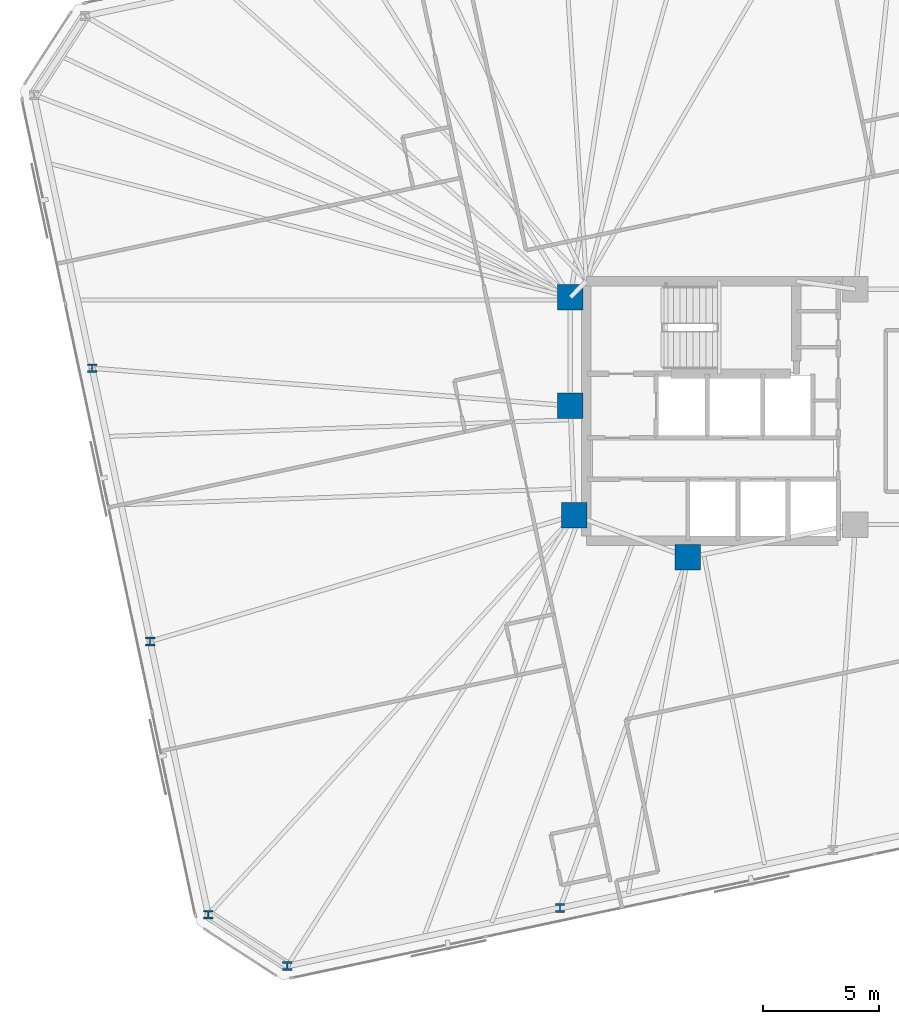
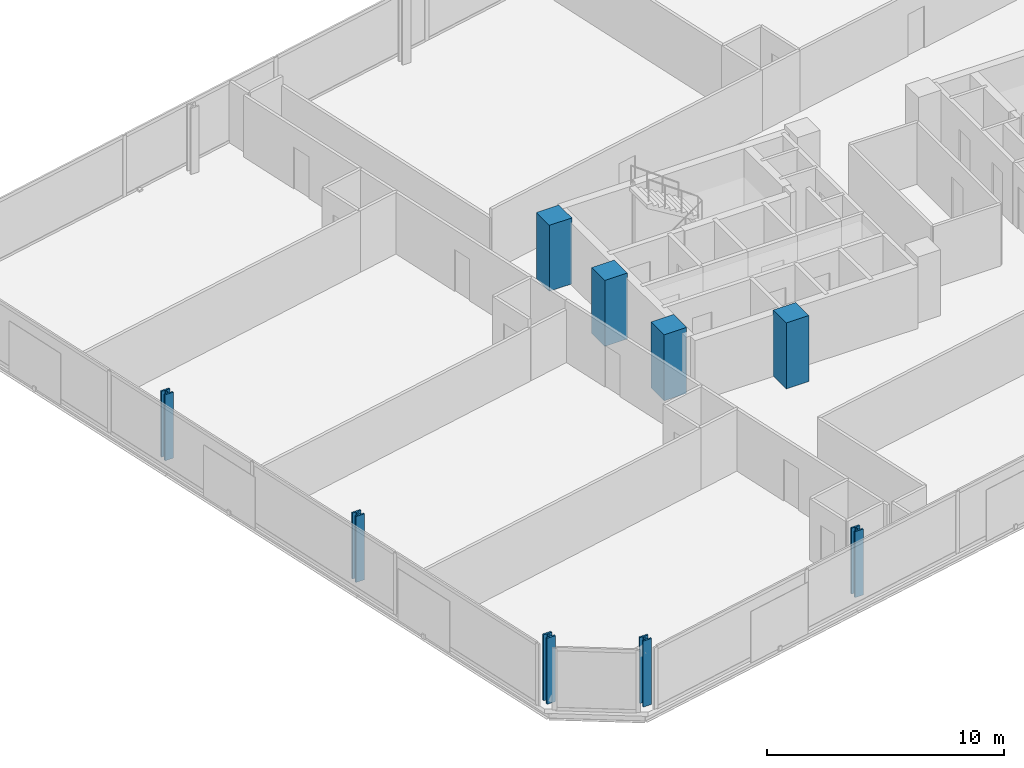
# One storey, part 1 of 19: 9 columns.
"""IFC4 building model written with IfcOpenShell, lengths in metres."""

from ifc_helpers import new_model, si_unit, direction, frame, origin, origin_2d, place, context, subcontext, project, spatial, rectangle, i_section, extrude, material, material_profile, profile_set, type_object, element, save


model = new_model("IFC4")

# Units and contexts
model_context = context("Model", 3, precision=1e-05, world=origin(), true_north=direction((0.0, 1.0)))
body_context = subcontext(model_context, "Body", "Model", "MODEL_VIEW")
ifc_project = project(units=[si_unit("LENGTHUNIT", "METRE"), si_unit("AREAUNIT", "SQUARE_METRE"), si_unit("VOLUMEUNIT", "CUBIC_METRE"), si_unit("PLANEANGLEUNIT", "RADIAN"), si_unit("MASSUNIT", "GRAM", prefix="KILO")], contexts=[model_context])

# Site, building, storey
site_placement = place(None, origin())
site = spatial("IfcSite", under=ifc_project, at=site_placement, CompositionType="ELEMENT")
building_placement = place(site_placement, origin())
building = spatial("IfcBuilding", under=site, at=building_placement, Name="Menara Jurai Vektor", CompositionType="ELEMENT")
storey_placement = place(building_placement, frame((0.0, 0.0, 151.39990234375)))
storey = spatial("IfcBuildingStorey", under=building, at=storey_placement, Name="L38", CompositionType="ELEMENT", Elevation=151.39990234375)

# Columns
ifc_material_1 = material(Name="Concrete C50/60", Category="concrete")
ifc_material_profile_1 = material_profile(ifc_material_1, rectangle(XDim=1.10009765625, YDim=1.10009765625, at=origin_2d()), Name="RC 1100x1100")
ifc_profile_set_1 = profile_set([ifc_material_profile_1], Name="Concrete C50/60")
column_type_1 = type_object("IfcColumnType", Name="STR-COL-RC1100", PredefinedType="COLUMN", material=ifc_profile_set_1)
for number, where, z_axis, x_axis, name in (
    (1, (-15.25, 4.89990234375, 0.0), (0.0, 0.0, 1.0), (1.0, 0.0, 0.0), "Core Spine Column CW-NW L38"),
    (2, (-15.25, 0.219970703125, 0.0), (0.0, 0.0, 1.0), (1.0, 0.0, 0.0), "Core Spine Column CW-WM L38"),
    (3, (-15.080078125, -4.5, 0.0), (0.0, 0.0, 1.0), (1.0, 0.0, 0.0), "Core Spine Column CW-SW L38"),
    (4, (-10.179931640625, -6.320068359375, 0.0), (0.0, 0.0, 1.0), (1.0, 0.0, 0.0), "Core Spine Column CW-SM L38"),
):
    element("IfcColumn", number, at=place(storey_placement, frame(where, z_axis=z_axis, x_axis=x_axis)), inside=storey, type_object=column_type_1, Name=name, PredefinedType="COLUMN", context=body_context, shape_type="SweptSolid", body=[
        extrude(rectangle(XDim=1.10009765625, YDim=1.10009765625, at=origin_2d()), origin(), (0.0, 0.0, 1.0), 3.400146484375),
    ])
ifc_material_2 = material(Name="Steel S460", Category="steel")
ifc_material_profile_2 = material_profile(ifc_material_2, i_section(OverallWidth=0.408935546875, OverallDepth=0.3740234375, WebThickness=0.048095703125, FlangeThickness=0.076904296875, FilletRadius=0.014892578125, at=origin_2d()), Name="HD 400x634")
ifc_profile_set_2 = profile_set([ifc_material_profile_2], Name="Steel S460")
column_type_2 = type_object("IfcColumnType", Name="STR-EXO-BLK3", PredefinedType="COLUMN", material=ifc_profile_set_2)
for number, where, z_axis, x_axis, name in (
    (5, (-27.46484375, -23.94580078125, 0.0), (0.0, 0.0, 1.0), (1.0, 0.0, 0.0), "Exoskeleton Column BLK3-S1 L38"),
    (6, (-15.696533203125, -21.4443359375, 0.0), (0.0, 0.0, 1.0), (1.0, 0.0, 0.0), "Exoskeleton Column BLK3-S2 L38"),
    (7, (-35.8828125, 1.843505859375, 0.0), (0.0, 0.0, 1.0), (1.0, 0.0, 0.0), "Exoskeleton Column BLK3-W2 L38"),
    (8, (-33.377197265625, -9.945068359375, 0.0), (0.0, 0.0, 1.0), (1.0, 0.0, 0.0), "Exoskeleton Column BLK3-W3 L38"),
    (9, (-30.871337890625, -21.7333984375, 0.0), (0.0, 0.0, 1.0), (1.0, 0.0, 0.0), "Exoskeleton Column BLK3-W4 L38"),
):
    element("IfcColumn", number, at=place(storey_placement, frame(where, z_axis=z_axis, x_axis=x_axis)), inside=storey, type_object=column_type_2, Name=name, PredefinedType="COLUMN", context=body_context, shape_type="SweptSolid", body=[
        extrude(i_section(OverallWidth=0.408935546875, OverallDepth=0.3740234375, WebThickness=0.048095703125, FlangeThickness=0.076904296875, FilletRadius=0.014892578125, at=origin_2d()), origin(), (0.0, 0.0, 1.0), 3.400146484375),
    ])

save(model, "model.ifc")
